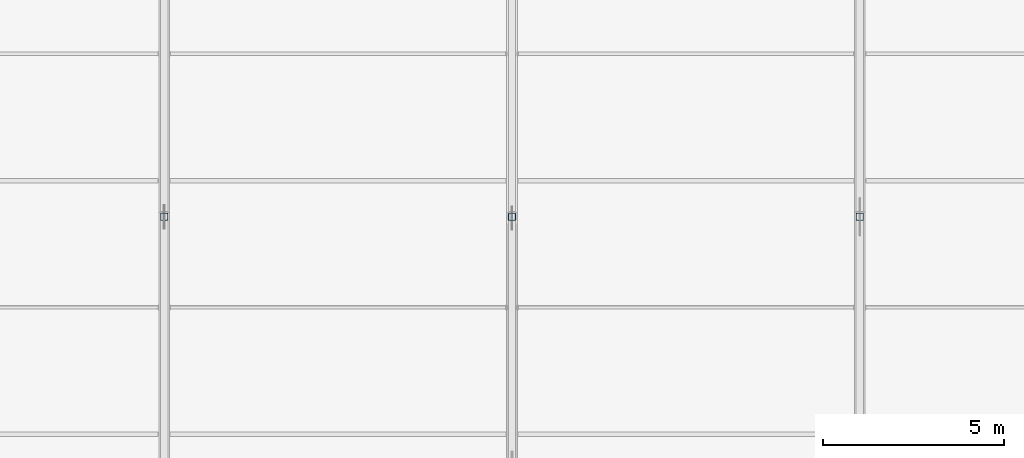
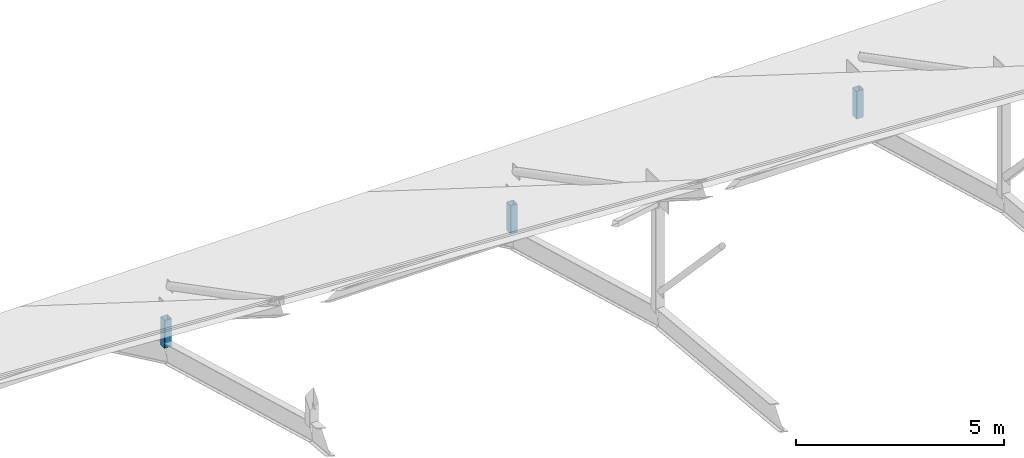
# One storey, part 24 of 66: 3 members.
"""IFC4 building model written with IfcOpenShell, lengths in metres."""

from ifc_helpers import new_model, si_unit, direction, frame, origin, origin_2d, place, context, subcontext, project, spatial, hollow_rectangle, extrude, material, material_profile, profile_set, type_object, element, save


model = new_model("IFC4")

# Units and contexts
model_context = context("Model", 3, precision=1e-05, world=origin(), true_north=direction((0.0, 1.0)))
body_context = subcontext(model_context, "Body", "Model", "MODEL_VIEW")
ifc_project = project(units=[si_unit("LENGTHUNIT", "METRE"), si_unit("AREAUNIT", "SQUARE_METRE"), si_unit("VOLUMEUNIT", "CUBIC_METRE"), si_unit("PLANEANGLEUNIT", "RADIAN"), si_unit("MASSUNIT", "GRAM", prefix="KILO")], contexts=[model_context])

# Site, building, storey
site_placement = place(None, origin())
site = spatial("IfcSite", under=ifc_project, at=site_placement, CompositionType="ELEMENT")
building_placement = place(site_placement, origin())
building = spatial("IfcBuilding", under=site, at=building_placement, Name="Yeouljin Market Hall", CompositionType="ELEMENT")
storey_placement = place(building_placement, frame((0.0, 0.0, 23.39990234375)))
storey = spatial("IfcBuildingStorey", under=building, at=storey_placement, Name="RF", CompositionType="ELEMENT", Elevation=23.39990234375)

# Members
ifc_material = material(Name="Steel SM355", Category="steel")
ifc_material_profile = material_profile(ifc_material, hollow_rectangle(XDim=0.199951171875, YDim=0.199951171875, WallThickness=0.008056640625, InnerFilletRadius=0.008056640625, OuterFilletRadius=0.01611328125, at=origin_2d()), Name="SHS-200x200x8")
ifc_profile_set = profile_set([ifc_material_profile], Name="Steel SM355")
member_type = type_object("IfcMemberType", Name="Strut_SHS-200x200x8", PredefinedType="STRUT", material=ifc_profile_set)
for number, where, z_axis, x_axis, name in (
    (1, (64.199951171875, 71.0, -8.897705078125), (0.0, 0.0, 1.0), (1.0, 0.0, 0.0), "Truss AT-04 vertical strut 5"),
    (2, (73.800048828125, 71.0, -8.897705078125), (0.0, 0.0, 1.0), (1.0, 0.0, 0.0), "Truss AT-05 vertical strut 5"),
    (3, (83.39990234375, 71.0, -8.897705078125), (0.0, 0.0, 1.0), (1.0, 0.0, 0.0), "Truss AT-06 vertical strut 5"),
):
    element("IfcMember", number, at=place(storey_placement, frame(where, z_axis=z_axis, x_axis=x_axis)), inside=storey, type_object=member_type, Name=name, PredefinedType="STRUT", context=body_context, shape_type="SweptSolid", body=[
        extrude(hollow_rectangle(XDim=0.199951171875, YDim=0.199951171875, WallThickness=0.008056640625, InnerFilletRadius=0.008056640625, OuterFilletRadius=0.01611328125, at=origin_2d()), origin(), (0.0, 0.0, 1.0), 0.81787109375),
    ])

save(model, "model.ifc")
